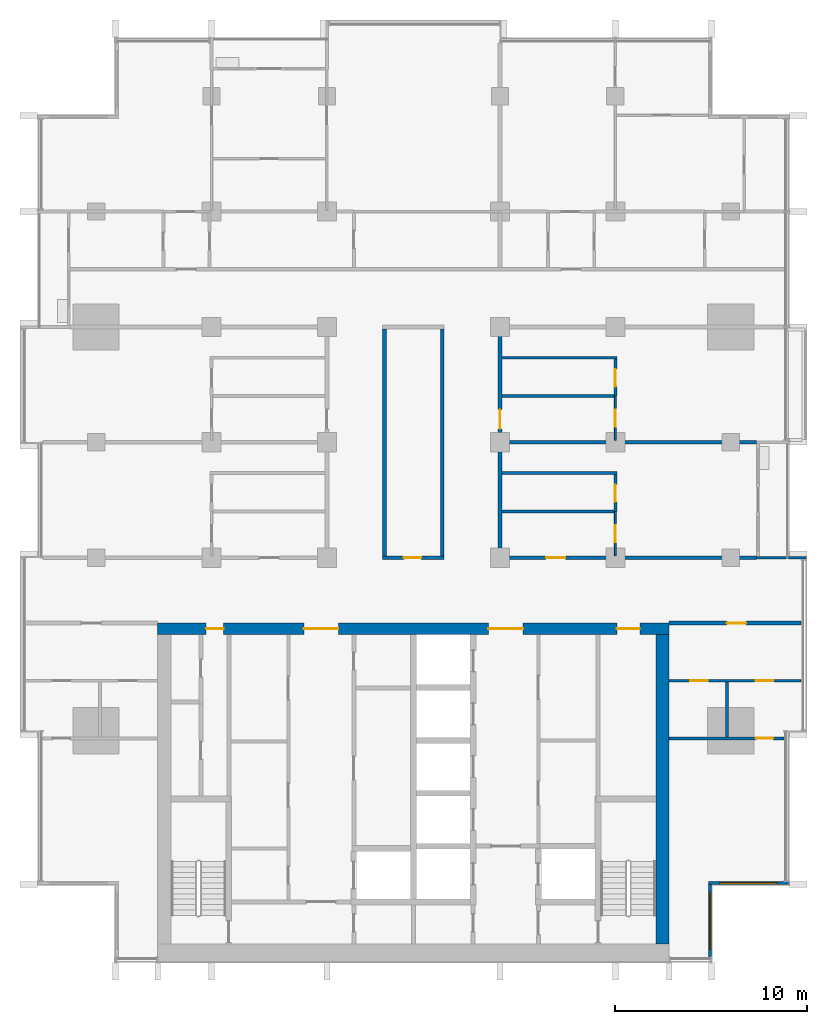
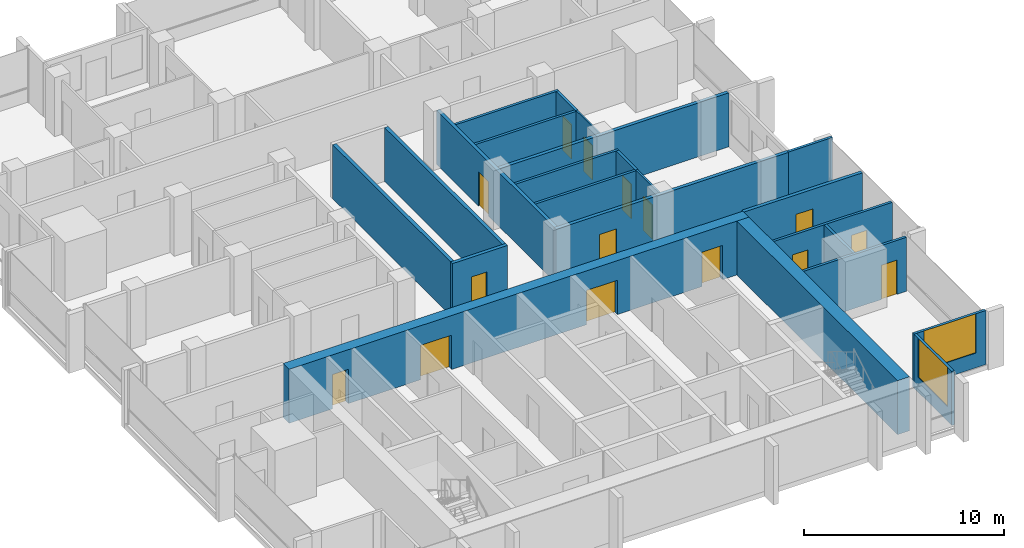
# One storey, part 9 of 16: 23 walls, 15 doors, 2 windows, 17 openings.
"""IFC4 building model written with IfcOpenShell, lengths in metres."""

from ifc_helpers import new_model, si_unit, direction, frame, frame_2d, origin, place, context, subcontext, project, spatial, rectangle, extrude, material, layer, layer_set, type_object, element, fill, save


model = new_model("IFC4")

# Units and contexts
model_context = context("Model", 3, precision=1e-05, world=origin(), true_north=direction((0.0, 1.0)))
body_context = subcontext(model_context, "Body", "Model", "MODEL_VIEW")
ifc_project = project(units=[si_unit("LENGTHUNIT", "METRE"), si_unit("AREAUNIT", "SQUARE_METRE"), si_unit("VOLUMEUNIT", "CUBIC_METRE"), si_unit("PLANEANGLEUNIT", "RADIAN"), si_unit("MASSUNIT", "GRAM", prefix="KILO")], contexts=[model_context])

# Site, building, storey
site_placement = place(None, origin())
site = spatial("IfcSite", under=ifc_project, at=site_placement, CompositionType="ELEMENT")
building_placement = place(site_placement, origin())
building = spatial("IfcBuilding", under=site, at=building_placement, Name="Finial Court Residences", CompositionType="ELEMENT")
storey_placement = place(building_placement, frame((0.0, 0.0, 163.699951171875)))
storey = spatial("IfcBuildingStorey", under=building, at=storey_placement, Name="L40", CompositionType="ELEMENT", Elevation=163.699951171875)

# Wall
ifc_material_1 = material(Name="Gypsum board")
ifc_layer_1 = layer(ifc_material_1, 0.02490234375)
ifc_material_2 = material(Name="Acoustic mineral wool in double frame")
ifc_layer_2 = layer(ifc_material_2, 0.14990234375)
ifc_layer_3 = layer(ifc_material_1, 0.02490234375)
ifc_layer_set_1 = layer_set([ifc_layer_1, ifc_layer_2, ifc_layer_3], Name="Acoustic party wall 200, 1 hour")
wall_type_1 = type_object("IfcWallType", Name="Acoustic party wall 200, 1 hour", PredefinedType="PARTITIONING", material=ifc_layer_set_1)
wall_1_placement = place(storey_placement, frame((4.60009765625, 1.5, 0.0), z_axis=(0.0, 0.0, 1.0), x_axis=(1.0, 0.0, 0.0)))
element("IfcWall", 1, at=wall_1_placement, inside=storey, type_object=wall_type_1, Name="Partition L40-014", PredefinedType="PARTITIONING", context=body_context, shape_type="SweptSolid", body=[
    extrude(rectangle(XDim=13.25, YDim=0.199951171875, at=frame_2d((6.625, 0.0))), origin(), (0.0, 0.0, 1.0), 3.300048828125),
])

# Wall, openings, doors
ifc_material_3 = material(Name="Concrete C70/85", Category="concrete")
ifc_layer_4 = layer(ifc_material_3, 0.60009765625)
ifc_layer_set_2 = layer_set([ifc_layer_4], Name="Core outer wall 600 Concrete C70/85")
wall_type_2 = type_object("IfcWallType", Name="Core outer wall 600 Concrete C70/85", PredefinedType="SHEAR", material=ifc_layer_set_2)
wall_2_placement = place(storey_placement, frame((-13.300048828125, -8.199951171875, 0.0), z_axis=(0.0, 0.0, 1.0), x_axis=(1.0, 0.0, 0.0)))
wall_2 = element("IfcWall", 2, at=wall_2_placement, inside=storey, type_object=wall_type_2, Name="Core outer wall L40-02", PredefinedType="SHEAR", context=body_context, shape_type="SweptSolid", body=[
    extrude(rectangle(XDim=26.60009765625, YDim=0.60009765625, at=frame_2d((13.300048828125, 0.0))), origin(), (0.0, 0.0, 1.0), 3.300048828125),
])
opening_1_placement = place(wall_2_placement, frame((7.60009765625, 0.0, 0.0)))
opening_1 = element("IfcOpeningElement", 3, at=opening_1_placement, cuts=wall_2, Name="Opening L40-C04", PredefinedType="OPENING", context=body_context, shape_type="SweptSolid", body=[
    extrude(rectangle(XDim=1.800048828125, YDim=2.10009765625, at=frame_2d((0.89990234375, 1.050048828125))), frame((0.0, 0.31005859375, 0.0), z_axis=(0.0, -1.0, 0.0), x_axis=(1.0, 0.0, 0.0)), (0.0, 0.0, 1.0), 0.6201171875),
])
opening_2_placement = place(wall_2_placement, frame((17.199951171875, 0.0, 0.0)))
opening_2 = element("IfcOpeningElement", 4, at=opening_2_placement, cuts=wall_2, Name="Opening L40-C05", PredefinedType="OPENING", context=body_context, shape_type="SweptSolid", body=[
    extrude(rectangle(XDim=1.800048828125, YDim=2.10009765625, at=frame_2d((0.89990234375, 1.050048828125))), frame((0.0, 0.31005859375, 0.0), z_axis=(0.0, -1.0, 0.0), x_axis=(1.0, 0.0, 0.0)), (0.0, 0.0, 1.0), 0.6201171875),
])
opening_3_placement = place(wall_2_placement, frame((2.52490234375, 0.0, 0.0)))
opening_3 = element("IfcOpeningElement", 5, at=opening_3_placement, cuts=wall_2, Name="Opening L40-C10", PredefinedType="OPENING", context=body_context, shape_type="SweptSolid", body=[
    extrude(rectangle(XDim=0.89990234375, YDim=2.10009765625, at=frame_2d((0.449951171875, 1.050048828125))), frame((0.0, 0.31005859375, 0.0), z_axis=(0.0, -1.0, 0.0), x_axis=(1.0, 0.0, 0.0)), (0.0, 0.0, 1.0), 0.6201171875),
])
opening_4_placement = place(wall_2_placement, frame((23.875, 0.0, 0.0)))
opening_4 = element("IfcOpeningElement", 6, at=opening_4_placement, cuts=wall_2, Name="Opening L40-C11", PredefinedType="OPENING", context=body_context, shape_type="SweptSolid", body=[
    extrude(rectangle(XDim=1.199951171875, YDim=2.10009765625, at=frame_2d((0.60009765625, 1.050048828125))), frame((0.0, 0.31005859375, 0.0), z_axis=(0.0, -1.0, 0.0), x_axis=(1.0, 0.0, 0.0)), (0.0, 0.0, 1.0), 0.6201171875),
])
ifc_material_4 = material(Name="Steel fire door", Category="steel")
door_type_1 = type_object("IfcDoorType", Name="Lift lobby door 1800 x 2100 EI 60", OperationType="DOUBLE_DOOR_SINGLE_SWING", PredefinedType="DOOR", material=ifc_material_4)
door_1_placement = place(opening_1_placement, origin())
door_1 = element("IfcDoor", 7, at=door_1_placement, inside=storey, type_object=door_type_1, Name="Lift lobby door L40-C04", OperationType="DOUBLE_DOOR_SINGLE_SWING", OverallHeight=2.10009765625, OverallWidth=1.800048828125, PredefinedType="DOOR", context=body_context, shape_type="SweptSolid", body=[
    extrude(rectangle(XDim=1.800048828125, YDim=2.10009765625, at=frame_2d((0.89990234375, 1.050048828125))), frame((0.0, 0.02490234375, 0.0), z_axis=(0.0, -1.0, 0.0), x_axis=(1.0, 0.0, 0.0)), (0.0, 0.0, 1.0), 0.050048828125),
])
fill(opening_1, door_1)
door_2_placement = place(opening_2_placement, origin())
door_2 = element("IfcDoor", 8, at=door_2_placement, inside=storey, type_object=door_type_1, Name="Lift lobby door L40-C05", OperationType="DOUBLE_DOOR_SINGLE_SWING", OverallHeight=2.10009765625, OverallWidth=1.800048828125, PredefinedType="DOOR", context=body_context, shape_type="SweptSolid", body=[
    extrude(rectangle(XDim=1.800048828125, YDim=2.10009765625, at=frame_2d((0.89990234375, 1.050048828125))), frame((0.0, 0.02490234375, 0.0), z_axis=(0.0, -1.0, 0.0), x_axis=(1.0, 0.0, 0.0)), (0.0, 0.0, 1.0), 0.050048828125),
])
fill(opening_2, door_2)
door_type_2 = type_object("IfcDoorType", Name="Riser room door 1200 x 2100 EI 90", OperationType="NOTDEFINED", PredefinedType="DOOR", material=ifc_material_4)
door_3_placement = place(opening_4_placement, origin())
door_3 = element("IfcDoor", 9, at=door_3_placement, inside=storey, type_object=door_type_2, Name="Riser room door L40-C11", OperationType="SINGLE_SWING_RIGHT", OverallHeight=2.10009765625, OverallWidth=1.199951171875, PredefinedType="DOOR", context=body_context, shape_type="SweptSolid", body=[
    extrude(rectangle(XDim=1.199951171875, YDim=2.10009765625, at=frame_2d((0.60009765625, 1.050048828125))), frame((0.0, 0.02490234375, 0.0), z_axis=(0.0, -1.0, 0.0), x_axis=(1.0, 0.0, 0.0)), (0.0, 0.0, 1.0), 0.050048828125),
])
fill(opening_4, door_3)
door_type_3 = type_object("IfcDoorType", Name="Riser room door 900 x 2100 EI 90", OperationType="NOTDEFINED", PredefinedType="DOOR", material=ifc_material_4)
door_4_placement = place(opening_3_placement, origin())
door_4 = element("IfcDoor", 10, at=door_4_placement, inside=storey, type_object=door_type_3, Name="Riser room door L40-C10", OperationType="SINGLE_SWING_RIGHT", OverallHeight=2.10009765625, OverallWidth=0.89990234375, PredefinedType="DOOR", context=body_context, shape_type="SweptSolid", body=[
    extrude(rectangle(XDim=0.89990234375, YDim=2.10009765625, at=frame_2d((0.449951171875, 1.050048828125))), frame((0.0, 0.02490234375, 0.0), z_axis=(0.0, -1.0, 0.0), x_axis=(1.0, 0.0, 0.0)), (0.0, 0.0, 1.0), 0.050048828125),
])
fill(opening_3, door_4)

# Wall
ifc_layer_5 = layer(ifc_material_3, 0.699951171875)
ifc_layer_set_3 = layer_set([ifc_layer_5], Name="Core outer wall 700 Concrete C70/85")
wall_type_3 = type_object("IfcWallType", Name="Core outer wall 700 Concrete C70/85", PredefinedType="SHEAR", material=ifc_layer_set_3)
wall_3_placement = place(storey_placement, frame((12.949951171875, -24.60009765625, 0.0), z_axis=(0.0, 0.0, 1.0), x_axis=(0.0, 1.0, 0.0)))
element("IfcWall", 11, at=wall_3_placement, inside=storey, type_object=wall_type_3, Name="Core outer wall L40-04", PredefinedType="SHEAR", context=body_context, shape_type="SweptSolid", body=[
    extrude(rectangle(XDim=16.10009765625, YDim=0.699951171875, at=frame_2d((8.050048828125, 0.0))), origin(), (0.0, 0.0, 1.0), 3.300048828125),
])

# Wall, opening, door
ifc_layer_6 = layer(ifc_material_1, 0.02490234375)
ifc_layer_7 = layer(ifc_material_2, 0.14990234375)
ifc_layer_8 = layer(ifc_material_1, 0.02490234375)
ifc_layer_set_4 = layer_set([ifc_layer_6, ifc_layer_7, ifc_layer_8], Name="Corridor wall 200, 1 hour")
wall_type_4 = type_object("IfcWallType", Name="Corridor wall 200, 1 hour", PredefinedType="PARTITIONING", material=ifc_layer_set_4)
wall_4_placement = place(storey_placement, frame((13.300048828125, -7.89990234375, 0.0), z_axis=(0.0, 0.0, 1.0), x_axis=(1.0, 0.0, 0.0)))
wall_4 = element("IfcWall", 12, at=wall_4_placement, inside=storey, type_object=wall_type_4, Name="Partition L40-005", PredefinedType="PARTITIONING", context=body_context, shape_type="SweptSolid", body=[
    extrude(rectangle(XDim=6.862548828125, YDim=0.199951171875, at=frame_2d((3.43115234375, 0.0))), origin(), (0.0, 0.0, 1.0), 3.300048828125),
])
opening_5_placement = place(wall_4_placement, frame((3.0, 0.0, 0.0)))
opening_5 = element("IfcOpeningElement", 13, at=opening_5_placement, cuts=wall_4, Name="Opening L40-D008", PredefinedType="OPENING", context=body_context, shape_type="SweptSolid", body=[
    extrude(rectangle(XDim=1.0, YDim=2.10009765625, at=frame_2d((0.5, 1.050048828125))), frame((0.0, 0.10986328125, 0.0), z_axis=(0.0, -1.0, 0.0), x_axis=(1.0, 0.0, 0.0)), (0.0, 0.0, 1.0), 0.219970703125),
])
ifc_material_5 = material(Name="Timber door leaf in hollow metal frame", Category="wood")
door_type_4 = type_object("IfcDoorType", Name="Fire door set 1000 x 2100, 30 minutes", OperationType="SINGLE_SWING_LEFT", PredefinedType="DOOR", material=ifc_material_5)
door_5_placement = place(opening_5_placement, origin())
door_5 = element("IfcDoor", 14, at=door_5_placement, inside=storey, type_object=door_type_4, Name="Door L40-D008", OperationType="SINGLE_SWING_RIGHT", OverallHeight=2.10009765625, OverallWidth=1.0, PredefinedType="DOOR", context=body_context, shape_type="SweptSolid", body=[
    extrude(rectangle(XDim=1.0, YDim=2.10009765625, at=frame_2d((0.5, 1.050048828125))), frame((0.0, 0.02490234375, 0.0), z_axis=(0.0, -1.0, 0.0), x_axis=(1.0, 0.0, 0.0)), (0.0, 0.0, 1.0), 0.050048828125),
])
fill(opening_5, door_5)

wall_5_placement = place(storey_placement, frame((-1.60009765625, -4.5, 0.0), z_axis=(0.0, 0.0, 1.0), x_axis=(1.0, 0.0, 0.0)))
wall_5 = element("IfcWall", 15, at=wall_5_placement, inside=storey, type_object=wall_type_4, Name="Partition L40-007", PredefinedType="PARTITIONING", context=body_context, shape_type="SweptSolid", body=[
    extrude(rectangle(XDim=3.2001953125, YDim=0.199951171875, at=frame_2d((1.60009765625, 0.0))), origin(), (0.0, 0.0, 1.0), 3.300048828125),
])
opening_6_placement = place(wall_5_placement, frame((1.10009765625, 0.0, 0.0)))
opening_6 = element("IfcOpeningElement", 16, at=opening_6_placement, cuts=wall_5, Name="Opening L40-D010", PredefinedType="OPENING", context=body_context, shape_type="SweptSolid", body=[
    extrude(rectangle(XDim=0.89990234375, YDim=2.10009765625, at=frame_2d((0.449951171875, 1.050048828125))), frame((0.0, 0.10986328125, 0.0), z_axis=(0.0, -1.0, 0.0), x_axis=(1.0, 0.0, 0.0)), (0.0, 0.0, 1.0), 0.219970703125),
])
door_type_5 = type_object("IfcDoorType", Name="Fire door set 900 x 2100, 30 minutes", OperationType="SINGLE_SWING_LEFT", PredefinedType="DOOR", material=ifc_material_5)
door_6_placement = place(opening_6_placement, origin())
door_6 = element("IfcDoor", 17, at=door_6_placement, inside=storey, type_object=door_type_5, Name="Door L40-D010", OperationType="SINGLE_SWING_RIGHT", OverallHeight=2.10009765625, OverallWidth=0.89990234375, PredefinedType="DOOR", context=body_context, shape_type="SweptSolid", body=[
    extrude(rectangle(XDim=0.89990234375, YDim=2.10009765625, at=frame_2d((0.449951171875, 1.050048828125))), frame((0.0, 0.02490234375, 0.0), z_axis=(0.0, -1.0, 0.0), x_axis=(1.0, 0.0, 0.0)), (0.0, 0.0, 1.0), 0.050048828125),
])
fill(opening_6, door_6)

wall_6_placement = place(storey_placement, frame((4.39990234375, -4.5, 0.0), z_axis=(0.0, 0.0, 1.0), x_axis=(1.0, 0.0, 0.0)))
wall_6 = element("IfcWall", 18, at=wall_6_placement, inside=storey, type_object=wall_type_4, Name="Partition L40-008", PredefinedType="PARTITIONING", context=body_context, shape_type="SweptSolid", body=[
    extrude(rectangle(XDim=13.4501953125, YDim=0.199951171875, at=frame_2d((6.72509765625, 0.0))), origin(), (0.0, 0.0, 1.0), 3.300048828125),
])
opening_7_placement = place(wall_6_placement, frame((2.5, 0.0, 0.0)))
opening_7 = element("IfcOpeningElement", 19, at=opening_7_placement, cuts=wall_6, Name="Opening L40-D011", PredefinedType="OPENING", context=body_context, shape_type="SweptSolid", body=[
    extrude(rectangle(XDim=1.0, YDim=2.10009765625, at=frame_2d((0.5, 1.050048828125))), frame((0.0, 0.10986328125, 0.0), z_axis=(0.0, -1.0, 0.0), x_axis=(1.0, 0.0, 0.0)), (0.0, 0.0, 1.0), 0.219970703125),
])
door_7_placement = place(opening_7_placement, origin())
door_7 = element("IfcDoor", 20, at=door_7_placement, inside=storey, type_object=door_type_4, Name="Door L40-D011", OperationType="SINGLE_SWING_RIGHT", OverallHeight=2.10009765625, OverallWidth=1.0, PredefinedType="DOOR", context=body_context, shape_type="SweptSolid", body=[
    extrude(rectangle(XDim=1.0, YDim=2.10009765625, at=frame_2d((0.5, 1.050048828125))), frame((0.0, 0.02490234375, 0.0), z_axis=(0.0, -1.0, 0.0), x_axis=(1.0, 0.0, 0.0)), (0.0, 0.0, 1.0), 0.050048828125),
])
fill(opening_7, door_7)

# Walls
for number, where, z_axis, x_axis, name in (
    (21, (-1.5, -4.39990234375, 0.0), (0.0, 0.0, 1.0), (0.0, 1.0, 0.0), "Partition L40-045"),
    (22, (1.5, -4.39990234375, 0.0), (0.0, 0.0, 1.0), (0.0, 1.0, 0.0), "Partition L40-046"),
):
    element("IfcWall", number, at=place(storey_placement, frame(where, z_axis=z_axis, x_axis=x_axis)), inside=storey, type_object=wall_type_4, Name=name, PredefinedType="PARTITIONING", context=body_context, shape_type="SweptSolid", body=[
        extrude(rectangle(XDim=11.7998046875, YDim=0.199951171875, at=frame_2d((5.89990234375, 0.0))), origin(), (0.0, 0.0, 1.0), 3.300048828125),
    ])

# Wall, opening, door
wall_7_placement = place(storey_placement, frame((4.5, -4.39990234375, 0.0), z_axis=(0.0, 0.0, 1.0), x_axis=(0.0, 1.0, 0.0)))
wall_7 = element("IfcWall", 23, at=wall_7_placement, inside=storey, type_object=wall_type_4, Name="Partition L40-047", PredefinedType="PARTITIONING", context=body_context, shape_type="SweptSolid", body=[
    extrude(rectangle(XDim=11.7998046875, YDim=0.199951171875, at=frame_2d((5.89990234375, 0.0))), origin(), (0.0, 0.0, 1.0), 3.300048828125),
])
opening_8_placement = place(wall_7_placement, frame((6.60009765625, 0.0, 0.0)))
opening_8 = element("IfcOpeningElement", 24, at=opening_8_placement, cuts=wall_7, Name="Opening L40-D028", PredefinedType="OPENING", context=body_context, shape_type="SweptSolid", body=[
    extrude(rectangle(XDim=1.0, YDim=2.10009765625, at=frame_2d((0.5, 1.050048828125))), frame((0.0, 0.10986328125, 0.0), z_axis=(0.0, -1.0, 0.0), x_axis=(1.0, 0.0, 0.0)), (0.0, 0.0, 1.0), 0.219970703125),
])
door_8_placement = place(opening_8_placement, origin())
door_8 = element("IfcDoor", 25, at=door_8_placement, inside=storey, type_object=door_type_4, Name="Door L40-D028", OperationType="SINGLE_SWING_RIGHT", OverallHeight=2.10009765625, OverallWidth=1.0, PredefinedType="DOOR", context=body_context, shape_type="SweptSolid", body=[
    extrude(rectangle(XDim=1.0, YDim=2.10009765625, at=frame_2d((0.5, 1.050048828125))), frame((0.0, 0.02490234375, 0.0), z_axis=(0.0, -1.0, 0.0), x_axis=(1.0, 0.0, 0.0)), (0.0, 0.0, 1.0), 0.050048828125),
])
fill(opening_8, door_8)

ifc_layer_9 = layer(ifc_material_1, 0.012451171875)
ifc_material_6 = material(Name="Mineral wool in light-gauge frame")
ifc_layer_10 = layer(ifc_material_6, 0.074951171875)
ifc_layer_11 = layer(ifc_material_1, 0.012451171875)
ifc_layer_set_5 = layer_set([ifc_layer_9, ifc_layer_10, ifc_layer_11], Name="Gypsum board partition 100")
wall_type_5 = type_object("IfcWallType", Name="Gypsum board partition 100", PredefinedType="PARTITIONING", material=ifc_layer_set_5)
wall_8_placement = place(storey_placement, frame((10.5, -4.39990234375, 0.0), z_axis=(0.0, 0.0, 1.0), x_axis=(0.0, 1.0, 0.0)))
wall_8 = element("IfcWall", 26, at=wall_8_placement, inside=storey, type_object=wall_type_5, Name="Partition L40-052", PredefinedType="PARTITIONING", context=body_context, shape_type="SweptSolid", body=[
    extrude(rectangle(XDim=2.2998046875, YDim=0.10009765625, at=frame_2d((1.14990234375, 0.0))), origin(), (0.0, 0.0, 1.0), 3.300048828125),
])
opening_9_placement = place(wall_8_placement, frame((0.699951171875, 0.0, 0.0)))
opening_9 = element("IfcOpeningElement", 27, at=opening_9_placement, cuts=wall_8, Name="Opening L40-D031", PredefinedType="OPENING", context=body_context, shape_type="SweptSolid", body=[
    extrude(rectangle(XDim=0.89990234375, YDim=2.10009765625, at=frame_2d((0.449951171875, 1.050048828125))), frame((0.0, 0.06005859375, 0.0), z_axis=(0.0, -1.0, 0.0), x_axis=(1.0, 0.0, 0.0)), (0.0, 0.0, 1.0), 0.1201171875),
])
ifc_material_7 = material(Name="Timber door leaf in timber frame", Category="wood")
door_type_6 = type_object("IfcDoorType", Name="Door set 900 x 2100", OperationType="SINGLE_SWING_LEFT", PredefinedType="DOOR", material=ifc_material_7)
door_9_placement = place(opening_9_placement, origin())
door_9 = element("IfcDoor", 28, at=door_9_placement, inside=storey, type_object=door_type_6, Name="Door L40-D031", OperationType="SINGLE_SWING_RIGHT", OverallHeight=2.10009765625, OverallWidth=0.89990234375, PredefinedType="DOOR", context=body_context, shape_type="SweptSolid", body=[
    extrude(rectangle(XDim=0.89990234375, YDim=2.10009765625, at=frame_2d((0.449951171875, 1.050048828125))), frame((0.0, 0.02490234375, 0.0), z_axis=(0.0, -1.0, 0.0), x_axis=(1.0, 0.0, 0.0)), (0.0, 0.0, 1.0), 0.050048828125),
])
fill(opening_9, door_9)

wall_9_placement = place(storey_placement, frame((10.5, 1.60009765625, 0.0), z_axis=(0.0, 0.0, 1.0), x_axis=(0.0, 1.0, 0.0)))
wall_9 = element("IfcWall", 29, at=wall_9_placement, inside=storey, type_object=wall_type_5, Name="Partition L40-053", PredefinedType="PARTITIONING", context=body_context, shape_type="SweptSolid", body=[
    extrude(rectangle(XDim=2.2998046875, YDim=0.10009765625, at=frame_2d((1.14990234375, 0.0))), origin(), (0.0, 0.0, 1.0), 3.300048828125),
])
opening_10_placement = place(wall_9_placement, frame((0.699951171875, 0.0, 0.0)))
opening_10 = element("IfcOpeningElement", 30, at=opening_10_placement, cuts=wall_9, Name="Opening L40-D032", PredefinedType="OPENING", context=body_context, shape_type="SweptSolid", body=[
    extrude(rectangle(XDim=0.89990234375, YDim=2.10009765625, at=frame_2d((0.449951171875, 1.050048828125))), frame((0.0, 0.06005859375, 0.0), z_axis=(0.0, -1.0, 0.0), x_axis=(1.0, 0.0, 0.0)), (0.0, 0.0, 1.0), 0.1201171875),
])
door_10_placement = place(opening_10_placement, origin())
door_10 = element("IfcDoor", 31, at=door_10_placement, inside=storey, type_object=door_type_6, Name="Door L40-D032", OperationType="SINGLE_SWING_LEFT", OverallHeight=2.10009765625, OverallWidth=0.89990234375, PredefinedType="DOOR", context=body_context, shape_type="SweptSolid", body=[
    extrude(rectangle(XDim=0.89990234375, YDim=2.10009765625, at=frame_2d((0.449951171875, 1.050048828125))), frame((0.0, 0.02490234375, 0.0), z_axis=(0.0, -1.0, 0.0), x_axis=(1.0, 0.0, 0.0)), (0.0, 0.0, 1.0), 0.050048828125),
])
fill(opening_10, door_10)

ifc_material_8 = material(Name="Moisture-resistant gypsum board")
ifc_layer_12 = layer(ifc_material_8, 0.012451171875)
ifc_layer_13 = layer(ifc_material_6, 0.125)
ifc_layer_14 = layer(ifc_material_8, 0.012451171875)
ifc_layer_set_6 = layer_set([ifc_layer_12, ifc_layer_13, ifc_layer_14], Name="Gypsum board wet-area partition 150")
wall_type_6 = type_object("IfcWallType", Name="Gypsum board wet-area partition 150", PredefinedType="PARTITIONING", material=ifc_layer_set_6)
wall_10_placement = place(storey_placement, frame((13.300048828125, -13.89990234375, 0.0), z_axis=(0.0, 0.0, 1.0), x_axis=(1.0, 0.0, 0.0)))
wall_10 = element("IfcWall", 32, at=wall_10_placement, inside=storey, type_object=wall_type_6, Name="Partition L40-001", PredefinedType="PARTITIONING", context=body_context, shape_type="SweptSolid", body=[
    extrude(rectangle(XDim=5.96240234375, YDim=0.14990234375, at=frame_2d((2.981201171875, 0.0))), origin(), (0.0, 0.0, 1.0), 3.300048828125),
])
opening_11_placement = place(wall_10_placement, frame((4.5, 0.0, 0.0)))
opening_11 = element("IfcOpeningElement", 33, at=opening_11_placement, cuts=wall_10, Name="Opening L40-D002", PredefinedType="OPENING", context=body_context, shape_type="SweptSolid", body=[
    extrude(rectangle(XDim=0.89990234375, YDim=2.10009765625, at=frame_2d((0.449951171875, 1.050048828125))), frame((0.0, 0.0849609375, 0.0), z_axis=(0.0, -1.0, 0.0), x_axis=(1.0, 0.0, 0.0)), (0.0, 0.0, 1.0), 0.169921875),
])
door_11_placement = place(opening_11_placement, origin())
door_11 = element("IfcDoor", 34, at=door_11_placement, inside=storey, type_object=door_type_6, Name="Door L40-D002", OperationType="SINGLE_SWING_RIGHT", OverallHeight=2.10009765625, OverallWidth=0.89990234375, PredefinedType="DOOR", context=body_context, shape_type="SweptSolid", body=[
    extrude(rectangle(XDim=0.89990234375, YDim=2.10009765625, at=frame_2d((0.449951171875, 1.050048828125))), frame((0.0, 0.02490234375, 0.0), z_axis=(0.0, -1.0, 0.0), x_axis=(1.0, 0.0, 0.0)), (0.0, 0.0, 1.0), 0.050048828125),
])
fill(opening_11, door_11)

# Wall, openings, doors
wall_11_placement = place(storey_placement, frame((13.300048828125, -10.89990234375, 0.0), z_axis=(0.0, 0.0, 1.0), x_axis=(1.0, 0.0, 0.0)))
wall_11 = element("IfcWall", 35, at=wall_11_placement, inside=storey, type_object=wall_type_6, Name="Partition L40-003", PredefinedType="PARTITIONING", context=body_context, shape_type="SweptSolid", body=[
    extrude(rectangle(XDim=6.862548828125, YDim=0.14990234375, at=frame_2d((3.43115234375, 0.0))), origin(), (0.0, 0.0, 1.0), 3.300048828125),
])
opening_12_placement = place(wall_11_placement, frame((1.10009765625, 0.0, 0.0)))
opening_12 = element("IfcOpeningElement", 36, at=opening_12_placement, cuts=wall_11, Name="Opening L40-D005", PredefinedType="OPENING", context=body_context, shape_type="SweptSolid", body=[
    extrude(rectangle(XDim=0.89990234375, YDim=2.10009765625, at=frame_2d((0.449951171875, 1.050048828125))), frame((0.0, 0.0849609375, 0.0), z_axis=(0.0, -1.0, 0.0), x_axis=(1.0, 0.0, 0.0)), (0.0, 0.0, 1.0), 0.169921875),
])
opening_13_placement = place(wall_11_placement, frame((4.5, 0.0, 0.0)))
opening_13 = element("IfcOpeningElement", 37, at=opening_13_placement, cuts=wall_11, Name="Opening L40-D006", PredefinedType="OPENING", context=body_context, shape_type="SweptSolid", body=[
    extrude(rectangle(XDim=0.89990234375, YDim=2.10009765625, at=frame_2d((0.449951171875, 1.050048828125))), frame((0.0, 0.0849609375, 0.0), z_axis=(0.0, -1.0, 0.0), x_axis=(1.0, 0.0, 0.0)), (0.0, 0.0, 1.0), 0.169921875),
])
door_12_placement = place(opening_12_placement, origin())
door_12 = element("IfcDoor", 38, at=door_12_placement, inside=storey, type_object=door_type_6, Name="Door L40-D005", OperationType="SINGLE_SWING_LEFT", OverallHeight=2.10009765625, OverallWidth=0.89990234375, PredefinedType="DOOR", context=body_context, shape_type="SweptSolid", body=[
    extrude(rectangle(XDim=0.89990234375, YDim=2.10009765625, at=frame_2d((0.449951171875, 1.050048828125))), frame((0.0, 0.02490234375, 0.0), z_axis=(0.0, -1.0, 0.0), x_axis=(1.0, 0.0, 0.0)), (0.0, 0.0, 1.0), 0.050048828125),
])
fill(opening_12, door_12)
door_13_placement = place(opening_13_placement, origin())
door_13 = element("IfcDoor", 39, at=door_13_placement, inside=storey, type_object=door_type_6, Name="Door L40-D006", OperationType="SINGLE_SWING_RIGHT", OverallHeight=2.10009765625, OverallWidth=0.89990234375, PredefinedType="DOOR", context=body_context, shape_type="SweptSolid", body=[
    extrude(rectangle(XDim=0.89990234375, YDim=2.10009765625, at=frame_2d((0.449951171875, 1.050048828125))), frame((0.0, 0.02490234375, 0.0), z_axis=(0.0, -1.0, 0.0), x_axis=(1.0, 0.0, 0.0)), (0.0, 0.0, 1.0), 0.050048828125),
])
fill(opening_13, door_13)

# Walls
wall_12_placement = place(storey_placement, frame((4.60009765625, -2.10009765625, 0.0), z_axis=(0.0, 0.0, 1.0), x_axis=(1.0, 0.0, 0.0)))
element("IfcWall", 40, at=wall_12_placement, inside=storey, type_object=wall_type_6, Name="Partition L40-010", PredefinedType="PARTITIONING", context=body_context, shape_type="SweptSolid", body=[
    extrude(rectangle(XDim=5.824951171875, YDim=0.14990234375, at=frame_2d((2.91259765625, 0.0))), origin(), (0.0, 0.0, 1.0), 3.300048828125),
])
wall_13_placement = place(storey_placement, frame((4.60009765625, -0.10009765625, 0.0), z_axis=(0.0, 0.0, 1.0), x_axis=(1.0, 0.0, 0.0)))
element("IfcWall", 41, at=wall_13_placement, inside=storey, type_object=wall_type_6, Name="Partition L40-012", PredefinedType="PARTITIONING", context=body_context, shape_type="SweptSolid", body=[
    extrude(rectangle(XDim=5.974853515625, YDim=0.14990234375, at=frame_2d((2.9873046875, 0.0))), origin(), (0.0, 0.0, 1.0), 3.300048828125),
])
wall_14_placement = place(storey_placement, frame((4.60009765625, 3.89990234375, 0.0), z_axis=(0.0, 0.0, 1.0), x_axis=(1.0, 0.0, 0.0)))
element("IfcWall", 42, at=wall_14_placement, inside=storey, type_object=wall_type_6, Name="Partition L40-016", PredefinedType="PARTITIONING", context=body_context, shape_type="SweptSolid", body=[
    extrude(rectangle(XDim=5.824951171875, YDim=0.14990234375, at=frame_2d((2.91259765625, 0.0))), origin(), (0.0, 0.0, 1.0), 3.300048828125),
])
wall_15_placement = place(storey_placement, frame((4.60009765625, 5.89990234375, 0.0), z_axis=(0.0, 0.0, 1.0), x_axis=(1.0, 0.0, 0.0)))
element("IfcWall", 43, at=wall_15_placement, inside=storey, type_object=wall_type_6, Name="Partition L40-018", PredefinedType="PARTITIONING", context=body_context, shape_type="SweptSolid", body=[
    extrude(rectangle(XDim=5.974853515625, YDim=0.14990234375, at=frame_2d((2.9873046875, 0.0))), origin(), (0.0, 0.0, 1.0), 3.300048828125),
])

# Wall, opening, door
wall_16_placement = place(storey_placement, frame((10.5, -2.10009765625, 0.0), z_axis=(0.0, 0.0, 1.0), x_axis=(0.0, 1.0, 0.0)))
wall_16 = element("IfcWall", 44, at=wall_16_placement, inside=storey, type_object=wall_type_6, Name="Partition L40-055", PredefinedType="PARTITIONING", context=body_context, shape_type="SweptSolid", body=[
    extrude(rectangle(XDim=1.925048828125, YDim=0.14990234375, at=frame_2d((0.96240234375, 0.0))), origin(), (0.0, 0.0, 1.0), 3.300048828125),
])
opening_14_placement = place(wall_16_placement, frame((0.5, 0.0, 0.0)))
opening_14 = element("IfcOpeningElement", 45, at=opening_14_placement, cuts=wall_16, Name="Opening L40-D034", PredefinedType="OPENING", context=body_context, shape_type="SweptSolid", body=[
    extrude(rectangle(XDim=0.89990234375, YDim=2.10009765625, at=frame_2d((0.449951171875, 1.050048828125))), frame((0.0, 0.0849609375, 0.0), z_axis=(0.0, -1.0, 0.0), x_axis=(1.0, 0.0, 0.0)), (0.0, 0.0, 1.0), 0.169921875),
])
door_14_placement = place(opening_14_placement, origin())
door_14 = element("IfcDoor", 46, at=door_14_placement, inside=storey, type_object=door_type_6, Name="Door L40-D034", OperationType="SINGLE_SWING_LEFT", OverallHeight=2.10009765625, OverallWidth=0.89990234375, PredefinedType="DOOR", context=body_context, shape_type="SweptSolid", body=[
    extrude(rectangle(XDim=0.89990234375, YDim=2.10009765625, at=frame_2d((0.449951171875, 1.050048828125))), frame((0.0, 0.02490234375, 0.0), z_axis=(0.0, -1.0, 0.0), x_axis=(1.0, 0.0, 0.0)), (0.0, 0.0, 1.0), 0.050048828125),
])
fill(opening_14, door_14)

wall_17_placement = place(storey_placement, frame((10.5, 3.89990234375, 0.0), z_axis=(0.0, 0.0, 1.0), x_axis=(0.0, 1.0, 0.0)))
wall_17 = element("IfcWall", 47, at=wall_17_placement, inside=storey, type_object=wall_type_6, Name="Partition L40-056", PredefinedType="PARTITIONING", context=body_context, shape_type="SweptSolid", body=[
    extrude(rectangle(XDim=1.925048828125, YDim=0.14990234375, at=frame_2d((0.96240234375, 0.0))), origin(), (0.0, 0.0, 1.0), 3.300048828125),
])
opening_15_placement = place(wall_17_placement, frame((0.5, 0.0, 0.0)))
opening_15 = element("IfcOpeningElement", 48, at=opening_15_placement, cuts=wall_17, Name="Opening L40-D035", PredefinedType="OPENING", context=body_context, shape_type="SweptSolid", body=[
    extrude(rectangle(XDim=0.89990234375, YDim=2.10009765625, at=frame_2d((0.449951171875, 1.050048828125))), frame((0.0, 0.0849609375, 0.0), z_axis=(0.0, -1.0, 0.0), x_axis=(1.0, 0.0, 0.0)), (0.0, 0.0, 1.0), 0.169921875),
])
door_15_placement = place(opening_15_placement, origin())
door_15 = element("IfcDoor", 49, at=door_15_placement, inside=storey, type_object=door_type_6, Name="Door L40-D035", OperationType="SINGLE_SWING_RIGHT", OverallHeight=2.10009765625, OverallWidth=0.89990234375, PredefinedType="DOOR", context=body_context, shape_type="SweptSolid", body=[
    extrude(rectangle(XDim=0.89990234375, YDim=2.10009765625, at=frame_2d((0.449951171875, 1.050048828125))), frame((0.0, 0.02490234375, 0.0), z_axis=(0.0, -1.0, 0.0), x_axis=(1.0, 0.0, 0.0)), (0.0, 0.0, 1.0), 0.050048828125),
])
fill(opening_15, door_15)

# Wall
wall_18_placement = place(storey_placement, frame((16.300048828125, -13.824951171875, 0.0), z_axis=(0.0, 0.0, 1.0), x_axis=(0.0, 1.0, 0.0)))
element("IfcWall", 50, at=wall_18_placement, inside=storey, type_object=wall_type_6, Name="Partition L40-058", PredefinedType="PARTITIONING", context=body_context, shape_type="SweptSolid", body=[
    extrude(rectangle(XDim=2.849853515625, YDim=0.14990234375, at=frame_2d((1.4248046875, 0.0))), origin(), (0.0, 0.0, 1.0), 3.300048828125),
])

# Wall, opening, window
ifc_material_9 = material(Name="Natural limestone", Category="masonry")
ifc_layer_15 = layer(ifc_material_9, 0.14990234375)
ifc_layer_set_7 = layer_set([ifc_layer_15], Name="Limestone clad wall 150")
wall_type_7 = type_object("IfcWallType", Name="Limestone clad wall 150", PredefinedType="SOLIDWALL", material=ifc_layer_set_7)
wall_19_placement = place(storey_placement, frame((15.425048828125, -21.5, 0.0), z_axis=(0.0, 0.0, 1.0), x_axis=(0.0, -1.0, 0.0)))
wall_19 = element("IfcWall", 51, at=wall_19_placement, inside=storey, type_object=wall_type_7, Name="E-L40-NWE16", PredefinedType="SOLIDWALL", context=body_context, shape_type="SweptSolid", body=[
    extrude(rectangle(XDim=3.762451171875, YDim=0.14990234375, at=frame_2d((1.88134765625, 0.0))), origin(), (0.0, 0.0, 1.0), 3.300048828125),
])
opening_16_placement = place(wall_19_placement, frame((0.4013671875, 0.0, 0.89990234375)))
opening_16 = element("IfcOpeningElement", 52, at=opening_16_placement, cuts=wall_19, Name="Opening WE40-03", PredefinedType="OPENING", context=body_context, shape_type="SweptSolid", body=[
    extrude(rectangle(XDim=2.9599609375, YDim=2.39990234375, at=frame_2d((1.47998046875, 1.199951171875))), frame((0.0, 0.0849609375, 0.0), z_axis=(0.0, -1.0, 0.0), x_axis=(1.0, 0.0, 0.0)), (0.0, 0.0, 1.0), 0.169921875),
])
ifc_material_10 = material(Name="Clear low-e glass", Category="glass")
window_type_1 = type_object("IfcWindowType", Name="Corner window 2960 x 2400", PartitioningType="SINGLE_PANEL", PredefinedType="WINDOW", material=ifc_material_10)
window_1_placement = place(opening_16_placement, origin())
window_1 = element("IfcWindow", 53, at=window_1_placement, inside=storey, type_object=window_type_1, Name="E-L40-NWE16-W1", OverallHeight=2.39990234375, OverallWidth=2.9599609375, PartitioningType="SINGLE_PANEL", PredefinedType="WINDOW", context=body_context, shape_type="SweptSolid", body=[
    extrude(rectangle(XDim=2.9599609375, YDim=2.39990234375, at=frame_2d((1.47998046875, 1.199951171875))), frame((0.0, 0.030029296875, 0.0), z_axis=(0.0, -1.0, 0.0), x_axis=(1.0, 0.0, 0.0)), (0.0, 0.0, 1.0), 0.06005859375),
])
fill(opening_16, window_1)

wall_20_placement = place(storey_placement, frame((19.5, -21.425048828125, 0.0), z_axis=(0.0, 0.0, 1.0), x_axis=(-1.0, 0.0, 0.0)))
wall_20 = element("IfcWall", 54, at=wall_20_placement, inside=storey, type_object=wall_type_7, Name="E-L40-NWS17", PredefinedType="SOLIDWALL", context=body_context, shape_type="SweptSolid", body=[
    extrude(rectangle(XDim=4.14990234375, YDim=0.14990234375, at=frame_2d((2.074951171875, 0.0))), origin(), (0.0, 0.0, 1.0), 3.300048828125),
])
opening_17_placement = place(wall_20_placement, frame((0.574951171875, 0.0, 0.89990234375)))
opening_17 = element("IfcOpeningElement", 55, at=opening_17_placement, cuts=wall_20, Name="Opening WE40-04", PredefinedType="OPENING", context=body_context, shape_type="SweptSolid", body=[
    extrude(rectangle(XDim=3.0, YDim=2.39990234375, at=frame_2d((1.5, 1.199951171875))), frame((0.0, 0.0849609375, 0.0), z_axis=(0.0, -1.0, 0.0), x_axis=(1.0, 0.0, 0.0)), (0.0, 0.0, 1.0), 0.169921875),
])
window_type_2 = type_object("IfcWindowType", Name="Corner window 3000 x 2400", PartitioningType="SINGLE_PANEL", PredefinedType="WINDOW", material=ifc_material_10)
window_2_placement = place(opening_17_placement, origin())
window_2 = element("IfcWindow", 56, at=window_2_placement, inside=storey, type_object=window_type_2, Name="E-L40-NWS17-W1", OverallHeight=2.39990234375, OverallWidth=3.0, PartitioningType="SINGLE_PANEL", PredefinedType="WINDOW", context=body_context, shape_type="SweptSolid", body=[
    extrude(rectangle(XDim=3.0, YDim=2.39990234375, at=frame_2d((1.5, 1.199951171875))), frame((0.0, 0.030029296875, 0.0), z_axis=(0.0, -1.0, 0.0), x_axis=(1.0, 0.0, 0.0)), (0.0, 0.0, 1.0), 0.06005859375),
])
fill(opening_17, window_2)

# Wall
wall_21_placement = place(storey_placement, frame((17.85009765625, -4.5, 0.0), z_axis=(0.0, 0.0, 1.0), x_axis=(1.0, 0.0, 0.0)))
element("IfcWall", 57, at=wall_21_placement, inside=storey, type_object=wall_type_7, Name="E-L40-BALE3-P1", PredefinedType="SOLIDWALL", context=body_context, shape_type="SweptSolid", body=[
    extrude(rectangle(XDim=2.5498046875, YDim=0.14990234375, at=frame_2d((1.27490234375, 0.0))), origin(), (0.0, 0.0, 1.0), 3.300048828125),
])

save(model, "model.ifc")
